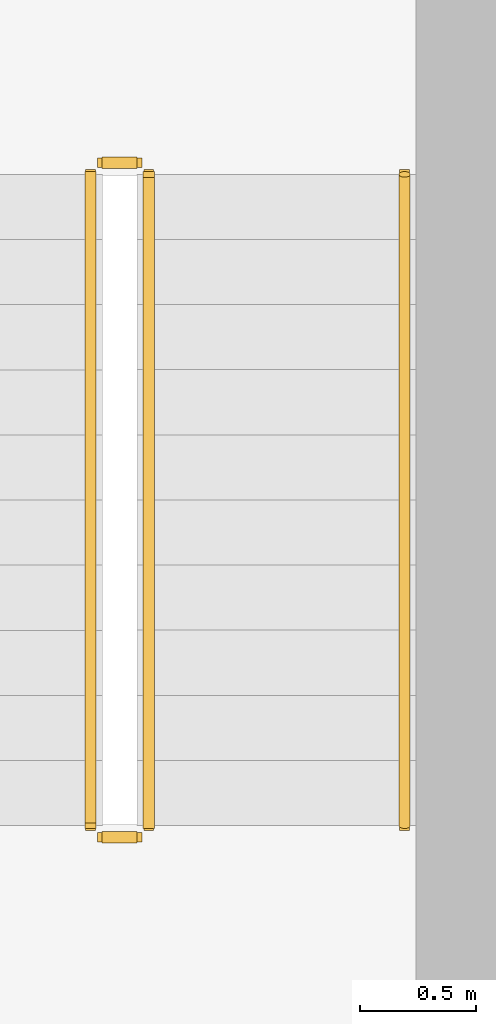
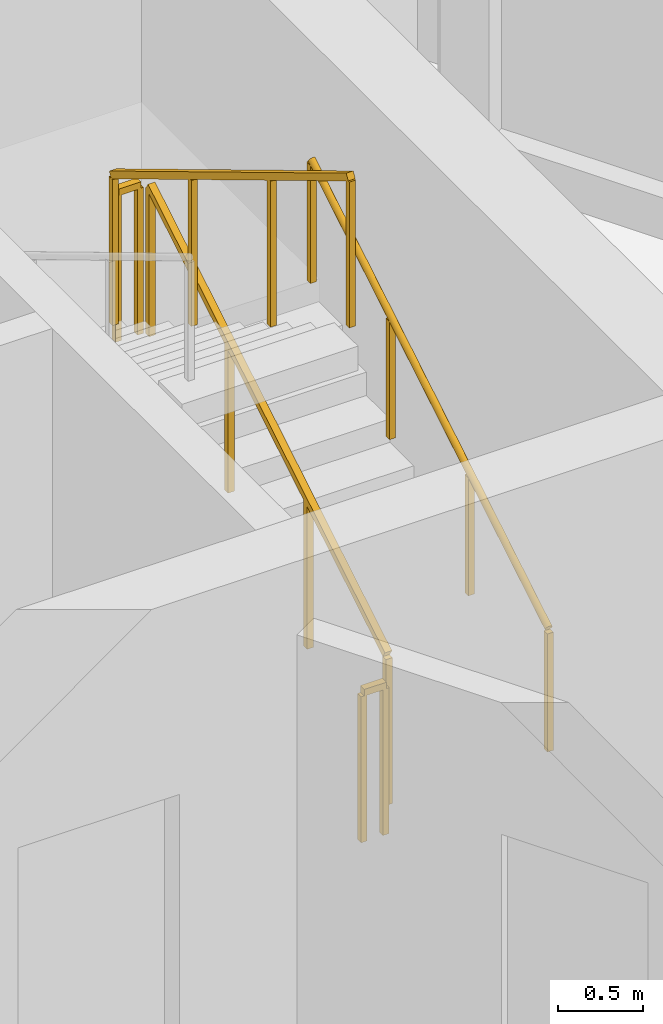
# One storey, part 13 of 13: 5 railings.
"""IFC4 building model written with IfcOpenShell, lengths in metres."""

from ifc_helpers import new_model, si_unit, direction, frame, origin, origin_2d, place, context, subcontext, project, spatial, rectangle, circle, extrude, material, type_object, element, save


model = new_model("IFC4")

# Units and contexts
model_context = context("Model", 3, precision=1e-05, world=origin(), true_north=direction((0.0, 1.0)))
body_context = subcontext(model_context, "Body", "Model", "MODEL_VIEW")
ifc_project = project(units=[si_unit("LENGTHUNIT", "METRE"), si_unit("AREAUNIT", "SQUARE_METRE"), si_unit("VOLUMEUNIT", "CUBIC_METRE"), si_unit("PLANEANGLEUNIT", "RADIAN"), si_unit("MASSUNIT", "GRAM", prefix="KILO")], contexts=[model_context])

# Site, building, storey
site_placement = place(None, origin())
site = spatial("IfcSite", under=ifc_project, at=site_placement, CompositionType="ELEMENT")
building_placement = place(site_placement, origin())
building = spatial("IfcBuilding", under=site, at=building_placement, Name="Apuvela Tower Hotel", CompositionType="ELEMENT")
storey_placement = place(building_placement, frame((0.0, 0.0, 283.699951171875)))
storey = spatial("IfcBuildingStorey", under=building, at=storey_placement, Name="L70", CompositionType="ELEMENT", Elevation=283.699951171875)

# Railings
ifc_material_1 = material(Name="Steel S275 balustrade", Category="steel")
railing_type_1 = type_object("IfcRailingType", Name="COR-GUARD-1100", PredefinedType="GUARDRAIL", material=ifc_material_1)
railing_1_placement = place(storey_placement, frame((3.85009765625, 14.60009765625, 0.168212890625)))
element("IfcRailing", 1, at=railing_1_placement, inside=storey, type_object=railing_type_1, Name="L70 ST1 stair guard 1", PredefinedType="GUARDRAIL", context=body_context, shape_type="SweptSolid", body=[
    extrude(rectangle(XDim=0.048095703125, YDim=0.048095703125, at=origin_2d()), frame((0.0, 0.0, 1.076171875), z_axis=(0.0, 0.857222391501, 0.514946377315), x_axis=(-1.0, 0.0, 0.0)), (0.0, 0.0, 1.0), 3.26611328125),
    extrude(rectangle(XDim=0.0419921875, YDim=0.0419921875, at=origin_2d()), origin(), (0.0, 0.0, 1.0), 1.052001953125),
    extrude(rectangle(XDim=0.0419921875, YDim=0.0419921875, at=origin_2d()), frame((0.0, 0.933349609375, 0.560546875)), (0.0, 0.0, 1.0), 1.052001953125),
    extrude(rectangle(XDim=0.0419921875, YDim=0.0419921875, at=origin_2d()), frame((0.0, 1.866455078125, 1.121337890625)), (0.0, 0.0, 1.0), 1.052001953125),
    extrude(rectangle(XDim=0.0419921875, YDim=0.0419921875, at=origin_2d()), frame((0.0, 2.7998046875, 1.681884765625)), (0.0, 0.0, 1.0), 1.052001953125),
])
railing_2_placement = place(storey_placement, frame((3.800048828125, 17.449951171875, 1.85009765625)))
element("IfcRailing", 2, at=railing_2_placement, inside=storey, type_object=railing_type_1, Name="L70 ST1 stair guard 2", PredefinedType="GUARDRAIL", context=body_context, shape_type="SweptSolid", body=[
    extrude(rectangle(XDim=0.048095703125, YDim=0.048095703125, at=origin_2d()), frame((0.0, 0.0, 1.076171875), z_axis=(-1.0, 0.0, 0.0), x_axis=(0.0, -1.0, 0.0)), (0.0, 0.0, 1.0), 0.150146484375),
    extrude(rectangle(XDim=0.0419921875, YDim=0.0419921875, at=origin_2d()), origin(), (0.0, 0.0, 1.0), 1.052001953125),
    extrude(rectangle(XDim=0.0419921875, YDim=0.0419921875, at=origin_2d()), frame((-0.150146484375, 0.0, 0.0)), (0.0, 0.0, 1.0), 1.052001953125),
])
railing_3_placement = place(storey_placement, frame((3.60009765625, 17.39990234375, 2.018310546875)))
element("IfcRailing", 3, at=railing_3_placement, inside=storey, type_object=railing_type_1, Name="L70 ST1 stair guard 3", PredefinedType="GUARDRAIL", context=body_context, shape_type="SweptSolid", body=[
    extrude(rectangle(XDim=0.048095703125, YDim=0.048095703125, at=origin_2d()), frame((0.0, 0.0, 1.076171875), z_axis=(0.0, -0.857255387014, 0.514891446264), x_axis=(1.0, 0.0, 0.0)), (0.0, 0.0, 1.0), 3.26611328125),
    extrude(rectangle(XDim=0.0419921875, YDim=0.0419921875, at=origin_2d()), origin(), (0.0, 0.0, 1.0), 1.052001953125),
    extrude(rectangle(XDim=0.0419921875, YDim=0.0419921875, at=origin_2d()), frame((0.0, -0.933349609375, 0.560546875)), (0.0, 0.0, 1.0), 1.052001953125),
    extrude(rectangle(XDim=0.0419921875, YDim=0.0419921875, at=origin_2d()), frame((0.0, -1.866455078125, 1.12109375)), (0.0, 0.0, 1.0), 1.052001953125),
    extrude(rectangle(XDim=0.0419921875, YDim=0.0419921875, at=origin_2d()), frame((0.0, -2.7998046875, 1.681640625)), (0.0, 0.0, 1.0), 1.052001953125),
])
railing_4_placement = place(storey_placement, frame((3.800048828125, 14.550048828125, 0.0)))
element("IfcRailing", 4, at=railing_4_placement, inside=storey, type_object=railing_type_1, Name="L70 ST1 stair guard 4", PredefinedType="GUARDRAIL", context=body_context, shape_type="SweptSolid", body=[
    extrude(rectangle(XDim=0.048095703125, YDim=0.048095703125, at=origin_2d()), frame((0.0, 0.0, 1.076171875), z_axis=(-1.0, 0.0, 0.0), x_axis=(0.0, -1.0, 0.0)), (0.0, 0.0, 1.0), 0.150146484375),
    extrude(rectangle(XDim=0.0419921875, YDim=0.0419921875, at=origin_2d()), origin(), (0.0, 0.0, 1.0), 1.052001953125),
    extrude(rectangle(XDim=0.0419921875, YDim=0.0419921875, at=origin_2d()), frame((-0.150146484375, 0.0, 0.0)), (0.0, 0.0, 1.0), 1.052001953125),
])
ifc_material_2 = material(Name="Stainless steel 316 handrail", Category="steel")
railing_type_2 = type_object("IfcRailingType", Name="COR-HANDRAIL-900", PredefinedType="HANDRAIL", material=ifc_material_2)
railing_5_placement = place(storey_placement, frame((4.949951171875, 14.60009765625, 0.168212890625)))
element("IfcRailing", 5, at=railing_5_placement, inside=storey, type_object=railing_type_2, Name="L70 ST1 stair handrail 1", PredefinedType="HANDRAIL", context=body_context, shape_type="SweptSolid", body=[
    extrude(circle(Radius=0.02392578125, at=origin_2d()), frame((0.0, 0.0, 0.8759765625), z_axis=(0.0, 0.857222391501, 0.514946377315), x_axis=(-1.0, 0.0, 0.0)), (0.0, 0.0, 1.0), 3.26611328125),
    extrude(rectangle(XDim=0.0419921875, YDim=0.0419921875, at=origin_2d()), origin(), (0.0, 0.0, 1.0), 0.851806640625),
    extrude(rectangle(XDim=0.0419921875, YDim=0.0419921875, at=origin_2d()), frame((0.0, 0.933349609375, 0.560546875)), (0.0, 0.0, 1.0), 0.851806640625),
    extrude(rectangle(XDim=0.0419921875, YDim=0.0419921875, at=origin_2d()), frame((0.0, 1.866455078125, 1.121337890625)), (0.0, 0.0, 1.0), 0.851806640625),
    extrude(rectangle(XDim=0.0419921875, YDim=0.0419921875, at=origin_2d()), frame((0.0, 2.7998046875, 1.681884765625)), (0.0, 0.0, 1.0), 0.851806640625),
])

save(model, "model.ifc")
